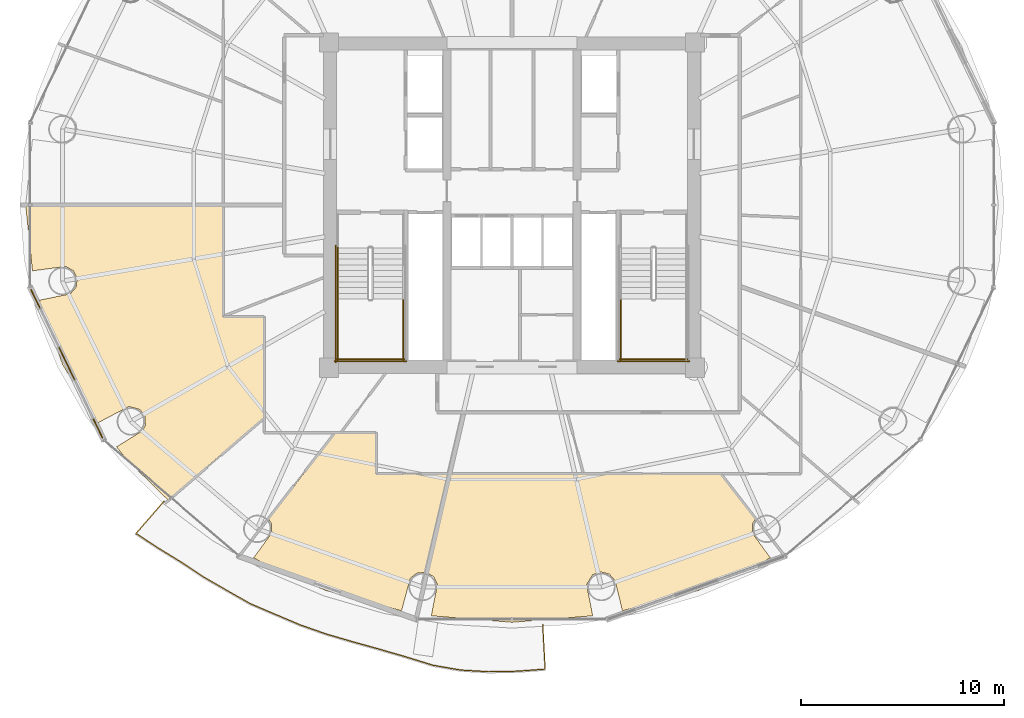
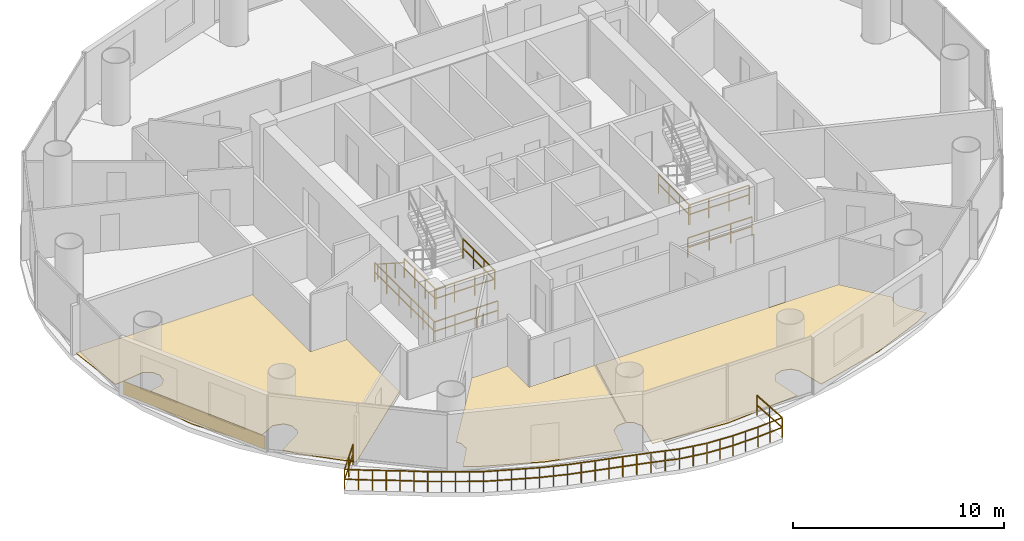
# One storey, part 24 of 26: 10 railings, 4 coverings.
"""IFC4 building model written with IfcOpenShell, lengths in metres."""

from ifc_helpers import new_model, si_unit, direction, frame, origin, origin_2d, place, context, subcontext, project, spatial, polyline, rectangle, outline, extrude, source, transform, mapped, material, layer, layer_set, type_object, element, save


model = new_model("IFC4")

# Units and contexts
model_context = context("Model", 3, precision=1e-05, world=origin(), true_north=direction((-0.2419218956, 0.970295726276)))
body_context = subcontext(model_context, "Body", "Model", "MODEL_VIEW")
ifc_project = project(units=[si_unit("LENGTHUNIT", "METRE"), si_unit("AREAUNIT", "SQUARE_METRE"), si_unit("VOLUMEUNIT", "CUBIC_METRE"), si_unit("PLANEANGLEUNIT", "RADIAN"), si_unit("MASSUNIT", "GRAM", prefix="KILO")], contexts=[model_context])

# Site, building, storey
site_placement = place(None, origin())
site = spatial("IfcSite", under=ifc_project, at=site_placement, CompositionType="ELEMENT")
building_placement = place(site_placement, origin())
building = spatial("IfcBuilding", under=site, at=building_placement, Name="Cobrevalo Terracotta Tower", CompositionType="ELEMENT")
storey_placement = place(building_placement, frame((0.0, 0.0, 178.60009765625)))
storey = spatial("IfcBuildingStorey", under=building, at=storey_placement, Name="L47", CompositionType="ELEMENT", Elevation=178.60009765625)

# Railing
ifc_material_1 = material(Name="Laminated structural glass and stainless steel", Category="steel")
railing_type_1 = type_object("IfcRailingType", Name="Balcony lobe structural glass & terracotta-cap balustrade 1180 mm", PredefinedType="BALUSTRADE", material=ifc_material_1)
railing_1_placement = place(storey_placement, frame((20.875732421875, 12.229736328125, 0.0)))
element("IfcRailing", 1, at=railing_1_placement, inside=storey, type_object=railing_type_1, Name="L47 spiralling balcony lobe balustrade 2", PredefinedType="BALUSTRADE", context=body_context, shape_type="SweptSolid", body=[
    extrude(rectangle(XDim=0.048095703125, YDim=0.048095703125, at=origin_2d()), frame((0.0, 0.0, 1.15576171875), z_axis=(-0.655849399072, -0.75489175763, 0.0), x_axis=(0.75489175763, -0.655849399072, 0.0)), (0.0, 0.0, 1.0), 2.0927734375),
    extrude(rectangle(XDim=0.048095703125, YDim=0.048095703125, at=origin_2d()), frame((0.0, 0.0, 0.58984375), z_axis=(-0.655849399072, -0.75489175763, 0.0), x_axis=(0.75489175763, -0.655849399072, 0.0)), (0.0, 0.0, 1.0), 2.0927734375),
    extrude(rectangle(XDim=0.048095703125, YDim=0.048095703125, at=origin_2d()), frame((-1.37255859375, -1.579833984375, 1.15576171875), z_axis=(0.836601380435, -0.547812130437, 0.0), x_axis=(0.547812130437, 0.836601380435, 0.0)), (0.0, 0.0, 1.0), 1.320556640625),
    extrude(rectangle(XDim=0.048095703125, YDim=0.048095703125, at=origin_2d()), frame((-1.37255859375, -1.579833984375, 0.58984375), z_axis=(0.836601380435, -0.547812130437, 0.0), x_axis=(0.547812130437, 0.836601380435, 0.0)), (0.0, 0.0, 1.0), 1.320556640625),
    extrude(rectangle(XDim=0.048095703125, YDim=0.048095703125, at=origin_2d()), frame((-0.267822265625, -2.30322265625, 1.15576171875), z_axis=(0.852868190337, -0.522126277744, 0.0), x_axis=(0.522126277744, 0.852868190337, 0.0)), (0.0, 0.0, 1.0), 1.31396484375),
    extrude(rectangle(XDim=0.048095703125, YDim=0.048095703125, at=origin_2d()), frame((-0.267822265625, -2.30322265625, 0.58984375), z_axis=(0.852868190337, -0.522126277744, 0.0), x_axis=(0.522126277744, 0.852868190337, 0.0)), (0.0, 0.0, 1.0), 1.31396484375),
    extrude(rectangle(XDim=0.048095703125, YDim=0.048095703125, at=origin_2d()), frame((0.852783203125, -2.9892578125, 1.15576171875), z_axis=(0.832708292219, -0.553711928777, 0.0), x_axis=(0.553711928777, 0.832708292219, 0.0)), (0.0, 0.0, 1.0), 1.311767578125),
    extrude(rectangle(XDim=0.048095703125, YDim=0.048095703125, at=origin_2d()), frame((0.852783203125, -2.9892578125, 0.58984375), z_axis=(0.832708292219, -0.553711928777, 0.0), x_axis=(0.553711928777, 0.832708292219, 0.0)), (0.0, 0.0, 1.0), 1.311767578125),
    extrude(rectangle(XDim=0.048095703125, YDim=0.048095703125, at=origin_2d()), frame((1.945068359375, -3.715576171875, 1.15576171875), z_axis=(0.86689037543, -0.498498823456, 0.0), x_axis=(0.498498823456, 0.86689037543, 0.0)), (0.0, 0.0, 1.0), 1.32470703125),
    extrude(rectangle(XDim=0.048095703125, YDim=0.048095703125, at=origin_2d()), frame((1.945068359375, -3.715576171875, 0.58984375), z_axis=(0.86689037543, -0.498498823456, 0.0), x_axis=(0.498498823456, 0.86689037543, 0.0)), (0.0, 0.0, 1.0), 1.32470703125),
    extrude(rectangle(XDim=0.048095703125, YDim=0.048095703125, at=origin_2d()), frame((3.093505859375, -4.3759765625, 1.15576171875), z_axis=(0.868628829469, -0.495463375654, 0.0), x_axis=(0.495463375654, 0.868628829469, 0.0)), (0.0, 0.0, 1.0), 1.323486328125),
    extrude(rectangle(XDim=0.048095703125, YDim=0.048095703125, at=origin_2d()), frame((3.093505859375, -4.3759765625, 0.58984375), z_axis=(0.868628829469, -0.495463375654, 0.0), x_axis=(0.495463375654, 0.868628829469, 0.0)), (0.0, 0.0, 1.0), 1.323486328125),
    extrude(rectangle(XDim=0.048095703125, YDim=0.048095703125, at=origin_2d()), frame((4.2431640625, -5.03173828125, 1.15576171875), z_axis=(0.919858704265, -0.392249874683, 0.0), x_axis=(0.392249874683, 0.919858704265, 0.0)), (0.0, 0.0, 1.0), 1.341796875),
    extrude(rectangle(XDim=0.048095703125, YDim=0.048095703125, at=origin_2d()), frame((4.2431640625, -5.03173828125, 0.58984375), z_axis=(0.919858704265, -0.392249874683, 0.0), x_axis=(0.392249874683, 0.919858704265, 0.0)), (0.0, 0.0, 1.0), 1.341796875),
    extrude(rectangle(XDim=0.048095703125, YDim=0.048095703125, at=origin_2d()), frame((5.4775390625, -5.55810546875, 1.15576171875), z_axis=(0.921185749358, -0.389123136268, 0.0), x_axis=(0.389123136268, 0.921185749358, 0.0)), (0.0, 0.0, 1.0), 1.3408203125),
    extrude(rectangle(XDim=0.048095703125, YDim=0.048095703125, at=origin_2d()), frame((5.4775390625, -5.55810546875, 0.58984375), z_axis=(0.921185749358, -0.389123136268, 0.0), x_axis=(0.389123136268, 0.921185749358, 0.0)), (0.0, 0.0, 1.0), 1.3408203125),
    extrude(rectangle(XDim=0.048095703125, YDim=0.048095703125, at=origin_2d()), frame((6.712646484375, -6.079833984375, 1.15576171875), z_axis=(0.943787663111, -0.330552336187, 0.0), x_axis=(0.330552336187, 0.943787663111, 0.0)), (0.0, 0.0, 1.0), 1.346435546875),
    extrude(rectangle(XDim=0.048095703125, YDim=0.048095703125, at=origin_2d()), frame((6.712646484375, -6.079833984375, 0.58984375), z_axis=(0.943787663111, -0.330552336187, 0.0), x_axis=(0.330552336187, 0.943787663111, 0.0)), (0.0, 0.0, 1.0), 1.346435546875),
    extrude(rectangle(XDim=0.048095703125, YDim=0.048095703125, at=origin_2d()), frame((7.9833984375, -6.52490234375, 1.15576171875), z_axis=(0.959937409811, -0.280214505774, 0.0), x_axis=(0.280214505774, 0.959937409811, 0.0)), (0.0, 0.0, 1.0), 1.354736328125),
    extrude(rectangle(XDim=0.048095703125, YDim=0.048095703125, at=origin_2d()), frame((7.9833984375, -6.52490234375, 0.58984375), z_axis=(0.959937409811, -0.280214505774, 0.0), x_axis=(0.280214505774, 0.959937409811, 0.0)), (0.0, 0.0, 1.0), 1.354736328125),
    extrude(rectangle(XDim=0.048095703125, YDim=0.048095703125, at=origin_2d()), frame((9.283935546875, -6.904541015625, 1.15576171875), z_axis=(0.963292852462, -0.268452752633, 0.0), x_axis=(0.268452752633, 0.963292852462, 0.0)), (0.0, 0.0, 1.0), 1.354248046875),
    extrude(rectangle(XDim=0.048095703125, YDim=0.048095703125, at=origin_2d()), frame((9.283935546875, -6.904541015625, 0.58984375), z_axis=(0.963292852462, -0.268452752633, 0.0), x_axis=(0.268452752633, 0.963292852462, 0.0)), (0.0, 0.0, 1.0), 1.354248046875),
    extrude(rectangle(XDim=0.048095703125, YDim=0.048095703125, at=origin_2d()), frame((10.58837890625, -7.26806640625, 1.15576171875), z_axis=(0.960653010723, -0.27775131501, 0.0), x_axis=(0.27775131501, 0.960653010723, 0.0)), (0.0, 0.0, 1.0), 1.3720703125),
    extrude(rectangle(XDim=0.048095703125, YDim=0.048095703125, at=origin_2d()), frame((10.58837890625, -7.26806640625, 0.58984375), z_axis=(0.960653010723, -0.27775131501, 0.0), x_axis=(0.27775131501, 0.960653010723, 0.0)), (0.0, 0.0, 1.0), 1.3720703125),
    extrude(rectangle(XDim=0.048095703125, YDim=0.048095703125, at=origin_2d()), frame((11.906494140625, -7.649169921875, 1.15576171875), z_axis=(0.95522682583, -0.295874485574, 0.0), x_axis=(0.295874485574, 0.95522682583, 0.0)), (0.0, 0.0, 1.0), 1.390380859375),
    extrude(rectangle(XDim=0.048095703125, YDim=0.048095703125, at=origin_2d()), frame((11.906494140625, -7.649169921875, 0.58984375), z_axis=(0.95522682583, -0.295874485574, 0.0), x_axis=(0.295874485574, 0.95522682583, 0.0)), (0.0, 0.0, 1.0), 1.390380859375),
    extrude(rectangle(XDim=0.048095703125, YDim=0.048095703125, at=origin_2d()), frame((13.234619140625, -8.060546875, 1.15576171875), z_axis=(0.985113346046, -0.17190606575, 0.0), x_axis=(0.17190606575, 0.985113346046, 0.0)), (0.0, 0.0, 1.0), 1.38623046875),
    extrude(rectangle(XDim=0.048095703125, YDim=0.048095703125, at=origin_2d()), frame((13.234619140625, -8.060546875, 0.58984375), z_axis=(0.985113346046, -0.17190606575, 0.0), x_axis=(0.17190606575, 0.985113346046, 0.0)), (0.0, 0.0, 1.0), 1.38623046875),
    extrude(rectangle(XDim=0.048095703125, YDim=0.048095703125, at=origin_2d()), frame((14.60009765625, -8.298828125, 1.15576171875), z_axis=(0.998244550304, -0.059226833354, 0.0), x_axis=(0.059226833354, 0.998244550304, 0.0)), (0.0, 0.0, 1.0), 1.38916015625),
    extrude(rectangle(XDim=0.048095703125, YDim=0.048095703125, at=origin_2d()), frame((14.60009765625, -8.298828125, 0.58984375), z_axis=(0.998244550304, -0.059226833354, 0.0), x_axis=(0.059226833354, 0.998244550304, 0.0)), (0.0, 0.0, 1.0), 1.38916015625),
    extrude(rectangle(XDim=0.048095703125, YDim=0.048095703125, at=origin_2d()), frame((15.98681640625, -8.381103515625, 1.15576171875), z_axis=(0.999815920088, 0.019186608326, 0.0), x_axis=(-0.019186608326, 0.999815920088, 0.0)), (0.0, 0.0, 1.0), 1.386962890625),
    extrude(rectangle(XDim=0.048095703125, YDim=0.048095703125, at=origin_2d()), frame((15.98681640625, -8.381103515625, 0.58984375), z_axis=(0.999815920088, 0.019186608326, 0.0), x_axis=(-0.019186608326, 0.999815920088, 0.0)), (0.0, 0.0, 1.0), 1.386962890625),
    extrude(rectangle(XDim=0.048095703125, YDim=0.048095703125, at=origin_2d()), frame((17.37353515625, -8.3544921875, 1.15576171875), z_axis=(0.997324648149, 0.073099563579, 0.0), x_axis=(-0.073099563579, 0.997324648149, 0.0)), (0.0, 0.0, 1.0), 1.385986328125),
    extrude(rectangle(XDim=0.048095703125, YDim=0.048095703125, at=origin_2d()), frame((17.37353515625, -8.3544921875, 0.58984375), z_axis=(0.997324648149, 0.073099563579, 0.0), x_axis=(-0.073099563579, 0.997324648149, 0.0)), (0.0, 0.0, 1.0), 1.385986328125),
    extrude(rectangle(XDim=0.048095703125, YDim=0.048095703125, at=origin_2d()), frame((18.755859375, -8.253173828125, 1.15576171875), z_axis=(-0.054106724102, 0.998535158323, 0.0), x_axis=(-0.998535158323, -0.054106724102, 0.0)), (0.0, 0.0, 1.0), 2.201904296875),
    extrude(rectangle(XDim=0.048095703125, YDim=0.048095703125, at=origin_2d()), frame((18.755859375, -8.253173828125, 0.58984375), z_axis=(-0.054106724102, 0.998535158323, 0.0), x_axis=(-0.998535158323, -0.054106724102, 0.0)), (0.0, 0.0, 1.0), 2.201904296875),
    extrude(rectangle(XDim=0.0419921875, YDim=0.0419921875, at=origin_2d()), origin(), (0.0, 0.0, 1.0), 1.1318359375),
    extrude(rectangle(XDim=0.0419921875, YDim=0.0419921875, at=origin_2d()), frame((-0.686279296875, -0.7900390625, 0.0)), (0.0, 0.0, 1.0), 1.1318359375),
    extrude(rectangle(XDim=0.0419921875, YDim=0.0419921875, at=origin_2d()), frame((-1.37255859375, -1.579833984375, 0.0)), (0.0, 0.0, 1.0), 1.1318359375),
    extrude(rectangle(XDim=0.0419921875, YDim=0.0419921875, at=origin_2d()), frame((-0.8203125, -1.94140625, 0.0)), (0.0, 0.0, 1.0), 1.1318359375),
    extrude(rectangle(XDim=0.0419921875, YDim=0.0419921875, at=origin_2d()), frame((-0.267822265625, -2.30322265625, 0.0)), (0.0, 0.0, 1.0), 1.1318359375),
    extrude(rectangle(XDim=0.0419921875, YDim=0.0419921875, at=origin_2d()), frame((0.29248046875, -2.646240234375, 0.0)), (0.0, 0.0, 1.0), 1.1318359375),
    extrude(rectangle(XDim=0.0419921875, YDim=0.0419921875, at=origin_2d()), frame((0.852783203125, -2.9892578125, 0.0)), (0.0, 0.0, 1.0), 1.1318359375),
    extrude(rectangle(XDim=0.0419921875, YDim=0.0419921875, at=origin_2d()), frame((1.39892578125, -3.3525390625, 0.0)), (0.0, 0.0, 1.0), 1.1318359375),
    extrude(rectangle(XDim=0.0419921875, YDim=0.0419921875, at=origin_2d()), frame((1.945068359375, -3.715576171875, 0.0)), (0.0, 0.0, 1.0), 1.1318359375),
    extrude(rectangle(XDim=0.0419921875, YDim=0.0419921875, at=origin_2d()), frame((2.519287109375, -4.0458984375, 0.0)), (0.0, 0.0, 1.0), 1.1318359375),
    extrude(rectangle(XDim=0.0419921875, YDim=0.0419921875, at=origin_2d()), frame((3.093505859375, -4.3759765625, 0.0)), (0.0, 0.0, 1.0), 1.1318359375),
    extrude(rectangle(XDim=0.0419921875, YDim=0.0419921875, at=origin_2d()), frame((3.66845703125, -4.703857421875, 0.0)), (0.0, 0.0, 1.0), 1.1318359375),
    extrude(rectangle(XDim=0.0419921875, YDim=0.0419921875, at=origin_2d()), frame((4.2431640625, -5.03173828125, 0.0)), (0.0, 0.0, 1.0), 1.1318359375),
    extrude(rectangle(XDim=0.0419921875, YDim=0.0419921875, at=origin_2d()), frame((4.8603515625, -5.294921875, 0.0)), (0.0, 0.0, 1.0), 1.1318359375),
    extrude(rectangle(XDim=0.0419921875, YDim=0.0419921875, at=origin_2d()), frame((5.4775390625, -5.55810546875, 0.0)), (0.0, 0.0, 1.0), 1.1318359375),
    extrude(rectangle(XDim=0.0419921875, YDim=0.0419921875, at=origin_2d()), frame((6.09521484375, -5.81884765625, 0.0)), (0.0, 0.0, 1.0), 1.1318359375),
    extrude(rectangle(XDim=0.0419921875, YDim=0.0419921875, at=origin_2d()), frame((6.712646484375, -6.079833984375, 0.0)), (0.0, 0.0, 1.0), 1.1318359375),
    extrude(rectangle(XDim=0.0419921875, YDim=0.0419921875, at=origin_2d()), frame((7.34814453125, -6.30224609375, 0.0)), (0.0, 0.0, 1.0), 1.1318359375),
    extrude(rectangle(XDim=0.0419921875, YDim=0.0419921875, at=origin_2d()), frame((7.9833984375, -6.52490234375, 0.0)), (0.0, 0.0, 1.0), 1.1318359375),
    extrude(rectangle(XDim=0.0419921875, YDim=0.0419921875, at=origin_2d()), frame((8.6337890625, -6.71484375, 0.0)), (0.0, 0.0, 1.0), 1.1318359375),
    extrude(rectangle(XDim=0.0419921875, YDim=0.0419921875, at=origin_2d()), frame((9.283935546875, -6.904541015625, 0.0)), (0.0, 0.0, 1.0), 1.1318359375),
    extrude(rectangle(XDim=0.0419921875, YDim=0.0419921875, at=origin_2d()), frame((9.93603515625, -7.08642578125, 0.0)), (0.0, 0.0, 1.0), 1.1318359375),
    extrude(rectangle(XDim=0.0419921875, YDim=0.0419921875, at=origin_2d()), frame((10.58837890625, -7.26806640625, 0.0)), (0.0, 0.0, 1.0), 1.1318359375),
    extrude(rectangle(XDim=0.0419921875, YDim=0.0419921875, at=origin_2d()), frame((11.24755859375, -7.45849609375, 0.0)), (0.0, 0.0, 1.0), 1.1318359375),
    extrude(rectangle(XDim=0.0419921875, YDim=0.0419921875, at=origin_2d()), frame((11.906494140625, -7.649169921875, 0.0)), (0.0, 0.0, 1.0), 1.1318359375),
    extrude(rectangle(XDim=0.0419921875, YDim=0.0419921875, at=origin_2d()), frame((12.570556640625, -7.85498046875, 0.0)), (0.0, 0.0, 1.0), 1.1318359375),
    extrude(rectangle(XDim=0.0419921875, YDim=0.0419921875, at=origin_2d()), frame((13.234619140625, -8.060546875, 0.0)), (0.0, 0.0, 1.0), 1.1318359375),
    extrude(rectangle(XDim=0.0419921875, YDim=0.0419921875, at=origin_2d()), frame((13.91748046875, -8.1796875, 0.0)), (0.0, 0.0, 1.0), 1.1318359375),
    extrude(rectangle(XDim=0.0419921875, YDim=0.0419921875, at=origin_2d()), frame((14.60009765625, -8.298828125, 0.0)), (0.0, 0.0, 1.0), 1.1318359375),
    extrude(rectangle(XDim=0.0419921875, YDim=0.0419921875, at=origin_2d()), frame((15.29345703125, -8.33984375, 0.0)), (0.0, 0.0, 1.0), 1.1318359375),
    extrude(rectangle(XDim=0.0419921875, YDim=0.0419921875, at=origin_2d()), frame((15.98681640625, -8.381103515625, 0.0)), (0.0, 0.0, 1.0), 1.1318359375),
    extrude(rectangle(XDim=0.0419921875, YDim=0.0419921875, at=origin_2d()), frame((16.68017578125, -8.36767578125, 0.0)), (0.0, 0.0, 1.0), 1.1318359375),
    extrude(rectangle(XDim=0.0419921875, YDim=0.0419921875, at=origin_2d()), frame((17.37353515625, -8.3544921875, 0.0)), (0.0, 0.0, 1.0), 1.1318359375),
    extrude(rectangle(XDim=0.0419921875, YDim=0.0419921875, at=origin_2d()), frame((18.064697265625, -8.3037109375, 0.0)), (0.0, 0.0, 1.0), 1.1318359375),
    extrude(rectangle(XDim=0.0419921875, YDim=0.0419921875, at=origin_2d()), frame((18.755859375, -8.253173828125, 0.0)), (0.0, 0.0, 1.0), 1.1318359375),
    extrude(rectangle(XDim=0.0419921875, YDim=0.0419921875, at=origin_2d()), frame((18.6962890625, -7.15380859375, 0.0)), (0.0, 0.0, 1.0), 1.1318359375),
    extrude(rectangle(XDim=0.0419921875, YDim=0.0419921875, at=origin_2d()), frame((18.63671875, -6.054443359375, 0.0)), (0.0, 0.0, 1.0), 1.1318359375),
])

# Coverings
ifc_material_2 = material(Name="Engineered Brazilian hardwood flooring", Category="wood")
ifc_layer_1 = layer(ifc_material_2, 0.028076171875)
ifc_layer_set_1 = layer_set([ifc_layer_1], Name="Engineered Brazilian hardwood flooring")
covering_type_1 = type_object("IfcCoveringType", Name="Engineered Hardwood Suite Flooring 28", PredefinedType="FLOORING", material=ifc_layer_set_1)
covering_1_placement = place(storey_placement, origin())
element("IfcCovering", 2, at=covering_1_placement, inside=storey, type_object=covering_type_1, Name="Flat L47C Penthouse Living and Dining Room floor finish", PredefinedType="FLOORING", context=body_context, shape_type="SweptSolid", body=[
    extrude(outline(polyline([(19.02197265625, 14.309326171875), (18.551513671875, 14.91357421875), (19.834228515625, 15.705810546875), (19.9638671875, 15.9638671875), (19.952880859375, 16.3935546875), (19.705322265625, 16.74462890625), (19.1591796875, 16.895263671875), (17.632568359375, 16.09375), (15.900390625, 18.948486328125), (14.748291015625, 22.121826171875), (16.2763671875, 22.43701171875), (16.55859375, 22.760986328125), (16.613037109375, 23.187255859375), (16.421630859375, 23.572021484375), (16.048583984375, 23.785400390625), (14.41357421875, 23.566162109375), (14.08154296875, 26.780029296875), (23.77490234375, 26.780029296875), (23.77490234375, 21.300048828125), (25.784912109375, 21.300048828125), (25.784912109375, 16.32763671875), (21.0888671875, 12.291015625), (19.02197265625, 14.309326171875)])), origin(), (0.0, 0.0, 1.0), 0.02978515625),
])
covering_2_placement = place(storey_placement, origin())
element("IfcCovering", 3, at=covering_2_placement, inside=storey, type_object=covering_type_1, Name="Flat L47C Penthouse Family Lounge floor finish", PredefinedType="FLOORING", context=body_context, shape_type="SweptSolid", body=[
    extrude(outline(polyline([(25.295166015625, 9.4560546875), (26.184326171875, 10.67724609375), (26.175537109375, 11.106689453125), (26.02490234375, 11.363525390625), (29.306884765625, 15.5849609375), (31.300048828125, 15.5849609375), (31.300048828125, 13.574951171875), (34.9189453125, 13.574951171875), (33.796630859375, 8.72607421875), (33.3408203125, 8.7109375), (32.99951171875, 8.44970703125), (32.567138671875, 6.849853515625), (28.84521484375, 7.84228515625), (26.038818359375, 9.02978515625), (25.295166015625, 9.4560546875)])), origin(), (0.0, 0.0, 1.0), 0.02978515625),
])
covering_3_placement = place(storey_placement, origin())
element("IfcCovering", 4, at=covering_3_placement, inside=storey, type_object=covering_type_1, Name="Flat L47D Penthouse Living and Dining Room floor finish", PredefinedType="FLOORING", context=body_context, shape_type="SweptSolid", body=[
    extrude(outline(polyline([(47.15478515625, 7.84228515625), (43.432861328125, 6.849853515625), (43.072998046875, 8.323974609375), (42.78955078125, 8.646728515625), (42.374267578125, 8.757568359375), (41.967529296875, 8.619140625), (41.6689453125, 8.1376953125), (41.97119140625, 6.6005859375), (38.0, 6.280029296875), (34.02880859375, 6.6005859375), (34.3310546875, 8.1376953125), (34.141357421875, 8.5234375), (33.83544921875, 8.716064453125), (34.9599609375, 13.574951171875), (48.255859375, 13.574951171875), (49.97509765625, 11.363525390625), (49.824462890625, 11.106689453125), (49.815673828125, 10.67724609375), (50.704833984375, 9.4560546875), (49.961181640625, 9.02978515625), (47.15478515625, 7.84228515625)])), origin(), (0.0, 0.0, 1.0), 0.02978515625),
])

# Railings
ifc_material_3 = material(Name="Brushed stainless steel", Category="steel")
railing_type_2 = type_object("IfcRailingType", Name="Stainless Steel Stair Handrail 900", PredefinedType="HANDRAIL", material=ifc_material_3)
railing_2_placement = place(storey_placement, frame((29.425048828125, 24.699951171875, 0.179931640625)))
element("IfcRailing", 5, at=railing_2_placement, inside=storey, type_object=railing_type_2, Name="L47 ST-1 stair handrail 1", PredefinedType="HANDRAIL", context=body_context, shape_type="SweptSolid", body=[
    extrude(rectangle(XDim=0.048095703125, YDim=0.048095703125, at=origin_2d()), frame((0.0, 0.0, 0.8759765625), z_axis=(0.0, -0.841199657755, 0.540724639528), x_axis=(1.0, 0.0, 0.0)), (0.0, 0.0, 1.0), 2.995849609375),
    extrude(rectangle(XDim=0.0419921875, YDim=0.0419921875, at=origin_2d()), origin(), (0.0, 0.0, 1.0), 0.851806640625),
    extrude(rectangle(XDim=0.0419921875, YDim=0.0419921875, at=origin_2d()), frame((0.0, -0.840087890625, 0.5400390625)), (0.0, 0.0, 1.0), 0.851806640625),
    extrude(rectangle(XDim=0.0419921875, YDim=0.0419921875, at=origin_2d()), frame((0.0, -1.679931640625, 1.079833984375)), (0.0, 0.0, 1.0), 0.851806640625),
    extrude(rectangle(XDim=0.0419921875, YDim=0.0419921875, at=origin_2d()), frame((0.0, -2.52001953125, 1.619873046875)), (0.0, 0.0, 1.0), 0.851806640625),
])
ifc_material_4 = material(Name="Painted galvanized steel", Category="steel")
railing_type_3 = type_object("IfcRailingType", Name="Stair Well Guard Balustrade 1150", PredefinedType="GUARDRAIL", material=ifc_material_4)
for number, where, name in (
    (6, (29.425048828125, 22.179931640625, 1.7998046875), "L47 ST-1 stair guard 3"),
    (7, (32.64501953125, 22.179931640625, 1.7998046875), "L47 ST-1 stair guard 4"),
):
    element("IfcRailing", number, at=place(storey_placement, frame(where)), inside=storey, type_object=railing_type_3, Name=name, PredefinedType="GUARDRAIL", context=body_context, shape_type="SweptSolid", body=[
        extrude(rectangle(XDim=0.048095703125, YDim=0.048095703125, at=origin_2d()), frame((0.0, 0.0, 1.1259765625), z_axis=(0.0, -1.0, 0.0), x_axis=(1.0, 0.0, 0.0)), (0.0, 0.0, 1.0), 3.0048828125),
        extrude(rectangle(XDim=0.048095703125, YDim=0.048095703125, at=origin_2d()), frame((0.0, 0.0, 0.574951171875), z_axis=(0.0, -1.0, 0.0), x_axis=(1.0, 0.0, 0.0)), (0.0, 0.0, 1.0), 3.0048828125),
        extrude(rectangle(XDim=0.0419921875, YDim=0.0419921875, at=origin_2d()), origin(), (0.0, 0.0, 1.0), 1.101806640625),
        extrude(rectangle(XDim=0.0419921875, YDim=0.0419921875, at=origin_2d()), frame((0.0, -1.001708984375, 0.0)), (0.0, 0.0, 1.0), 1.101806640625),
        extrude(rectangle(XDim=0.0419921875, YDim=0.0419921875, at=origin_2d()), frame((0.0, -2.003173828125, 0.0)), (0.0, 0.0, 1.0), 1.101806640625),
        extrude(rectangle(XDim=0.0419921875, YDim=0.0419921875, at=origin_2d()), frame((0.0, -3.0048828125, 0.0)), (0.0, 0.0, 1.0), 1.101806640625),
    ])
railing_3_placement = place(storey_placement, frame((29.375, 19.22509765625, 1.7998046875)))
element("IfcRailing", 8, at=railing_3_placement, inside=storey, type_object=railing_type_3, Name="L47 ST-1 stair guard 5", PredefinedType="GUARDRAIL", context=body_context, shape_type="SweptSolid", body=[
    extrude(rectangle(XDim=0.048095703125, YDim=0.048095703125, at=origin_2d()), frame((0.0, 0.0, 1.1259765625), z_axis=(1.0, 0.0, 0.0), x_axis=(0.0, 1.0, 0.0)), (0.0, 0.0, 1.0), 3.320068359375),
    extrude(rectangle(XDim=0.048095703125, YDim=0.048095703125, at=origin_2d()), frame((0.0, 0.0, 0.574951171875), z_axis=(1.0, 0.0, 0.0), x_axis=(0.0, 1.0, 0.0)), (0.0, 0.0, 1.0), 3.320068359375),
    extrude(rectangle(XDim=0.0419921875, YDim=0.0419921875, at=origin_2d()), origin(), (0.0, 0.0, 1.0), 1.101806640625),
    extrude(rectangle(XDim=0.0419921875, YDim=0.0419921875, at=origin_2d()), frame((1.106689453125, 0.0, 0.0)), (0.0, 0.0, 1.0), 1.101806640625),
    extrude(rectangle(XDim=0.0419921875, YDim=0.0419921875, at=origin_2d()), frame((2.21337890625, 0.0, 0.0)), (0.0, 0.0, 1.0), 1.101806640625),
    extrude(rectangle(XDim=0.0419921875, YDim=0.0419921875, at=origin_2d()), frame((3.320068359375, 0.0, 0.0)), (0.0, 0.0, 1.0), 1.101806640625),
])
railing_4_placement = place(storey_placement, frame((29.324951171875, 24.800048828125, 0.0)))
element("IfcRailing", 9, at=railing_4_placement, inside=storey, type_object=railing_type_3, Name="L47 ST-1 stair guard 10", PredefinedType="GUARDRAIL", context=body_context, shape_type="SweptSolid", body=[
    extrude(rectangle(XDim=0.048095703125, YDim=0.048095703125, at=origin_2d()), frame((0.0, 0.0, 1.1259765625), z_axis=(0.0, -1.0, 0.0), x_axis=(1.0, 0.0, 0.0)), (0.0, 0.0, 1.0), 5.72509765625),
    extrude(rectangle(XDim=0.048095703125, YDim=0.048095703125, at=origin_2d()), frame((0.0, 0.0, 0.574951171875), z_axis=(0.0, -1.0, 0.0), x_axis=(1.0, 0.0, 0.0)), (0.0, 0.0, 1.0), 5.72509765625),
    extrude(rectangle(XDim=0.0419921875, YDim=0.0419921875, at=origin_2d()), origin(), (0.0, 0.0, 1.0), 1.101806640625),
    extrude(rectangle(XDim=0.0419921875, YDim=0.0419921875, at=origin_2d()), frame((0.0, -1.14501953125, 0.0)), (0.0, 0.0, 1.0), 1.101806640625),
    extrude(rectangle(XDim=0.0419921875, YDim=0.0419921875, at=origin_2d()), frame((0.0, -2.2900390625, 0.0)), (0.0, 0.0, 1.0), 1.101806640625),
    extrude(rectangle(XDim=0.0419921875, YDim=0.0419921875, at=origin_2d()), frame((0.0, -3.43505859375, 0.0)), (0.0, 0.0, 1.0), 1.101806640625),
    extrude(rectangle(XDim=0.0419921875, YDim=0.0419921875, at=origin_2d()), frame((0.0, -4.580078125, 0.0)), (0.0, 0.0, 1.0), 1.101806640625),
    extrude(rectangle(XDim=0.0419921875, YDim=0.0419921875, at=origin_2d()), frame((0.0, -5.72509765625, 0.0)), (0.0, 0.0, 1.0), 1.101806640625),
])
railing_5_placement = place(storey_placement, frame((29.27490234375, 19.125, 0.0)))
element("IfcRailing", 10, at=railing_5_placement, inside=storey, type_object=railing_type_3, Name="L47 ST-1 stair guard 12", PredefinedType="GUARDRAIL", context=body_context, shape_type="SweptSolid", body=[
    extrude(rectangle(XDim=0.048095703125, YDim=0.048095703125, at=origin_2d()), frame((0.0, 0.0, 1.1259765625), z_axis=(1.0, 0.0, 0.0), x_axis=(0.0, 1.0, 0.0)), (0.0, 0.0, 1.0), 3.52001953125),
    extrude(rectangle(XDim=0.048095703125, YDim=0.048095703125, at=origin_2d()), frame((0.0, 0.0, 0.574951171875), z_axis=(1.0, 0.0, 0.0), x_axis=(0.0, 1.0, 0.0)), (0.0, 0.0, 1.0), 3.52001953125),
    extrude(rectangle(XDim=0.0419921875, YDim=0.0419921875, at=origin_2d()), origin(), (0.0, 0.0, 1.0), 1.101806640625),
    extrude(rectangle(XDim=0.0419921875, YDim=0.0419921875, at=origin_2d()), frame((1.17333984375, 0.0, 0.0)), (0.0, 0.0, 1.0), 1.101806640625),
    extrude(rectangle(XDim=0.0419921875, YDim=0.0419921875, at=origin_2d()), frame((2.3466796875, 0.0, 0.0)), (0.0, 0.0, 1.0), 1.101806640625),
    extrude(rectangle(XDim=0.0419921875, YDim=0.0419921875, at=origin_2d()), frame((3.52001953125, 0.0, 0.0)), (0.0, 0.0, 1.0), 1.101806640625),
])
railing_6_placement = place(storey_placement, frame((43.35498046875, 22.179931640625, 1.7998046875)))
element("IfcRailing", 11, at=railing_6_placement, inside=storey, type_object=railing_type_3, Name="L47 ST-2 stair guard 3", PredefinedType="GUARDRAIL", context=body_context, shape_type="SweptSolid", body=[
    extrude(rectangle(XDim=0.048095703125, YDim=0.048095703125, at=origin_2d()), frame((0.0, 0.0, 1.1259765625), z_axis=(0.0, -1.0, 0.0), x_axis=(1.0, 0.0, 0.0)), (0.0, 0.0, 1.0), 3.0048828125),
    extrude(rectangle(XDim=0.048095703125, YDim=0.048095703125, at=origin_2d()), frame((0.0, 0.0, 0.574951171875), z_axis=(0.0, -1.0, 0.0), x_axis=(1.0, 0.0, 0.0)), (0.0, 0.0, 1.0), 3.0048828125),
    extrude(rectangle(XDim=0.0419921875, YDim=0.0419921875, at=origin_2d()), origin(), (0.0, 0.0, 1.0), 1.101806640625),
    extrude(rectangle(XDim=0.0419921875, YDim=0.0419921875, at=origin_2d()), frame((0.0, -1.001708984375, 0.0)), (0.0, 0.0, 1.0), 1.101806640625),
    extrude(rectangle(XDim=0.0419921875, YDim=0.0419921875, at=origin_2d()), frame((0.0, -2.003173828125, 0.0)), (0.0, 0.0, 1.0), 1.101806640625),
    extrude(rectangle(XDim=0.0419921875, YDim=0.0419921875, at=origin_2d()), frame((0.0, -3.0048828125, 0.0)), (0.0, 0.0, 1.0), 1.101806640625),
])
railing_7_placement = place(storey_placement, frame((43.304931640625, 19.22509765625, 1.7998046875)))
element("IfcRailing", 12, at=railing_7_placement, inside=storey, type_object=railing_type_3, Name="L47 ST-2 stair guard 5", PredefinedType="GUARDRAIL", context=body_context, shape_type="SweptSolid", body=[
    extrude(rectangle(XDim=0.048095703125, YDim=0.048095703125, at=origin_2d()), frame((0.0, 0.0, 1.1259765625), z_axis=(1.0, 0.0, 0.0), x_axis=(0.0, 1.0, 0.0)), (0.0, 0.0, 1.0), 3.320068359375),
    extrude(rectangle(XDim=0.048095703125, YDim=0.048095703125, at=origin_2d()), frame((0.0, 0.0, 0.574951171875), z_axis=(1.0, 0.0, 0.0), x_axis=(0.0, 1.0, 0.0)), (0.0, 0.0, 1.0), 3.320068359375),
    extrude(rectangle(XDim=0.0419921875, YDim=0.0419921875, at=origin_2d()), origin(), (0.0, 0.0, 1.0), 1.101806640625),
    extrude(rectangle(XDim=0.0419921875, YDim=0.0419921875, at=origin_2d()), frame((1.106689453125, 0.0, 0.0)), (0.0, 0.0, 1.0), 1.101806640625),
    extrude(rectangle(XDim=0.0419921875, YDim=0.0419921875, at=origin_2d()), frame((2.21337890625, 0.0, 0.0)), (0.0, 0.0, 1.0), 1.101806640625),
    extrude(rectangle(XDim=0.0419921875, YDim=0.0419921875, at=origin_2d()), frame((3.320068359375, 0.0, 0.0)), (0.0, 0.0, 1.0), 1.101806640625),
])
railing_8_placement = place(storey_placement, frame((43.205078125, 19.125, 0.0)))
element("IfcRailing", 13, at=railing_8_placement, inside=storey, type_object=railing_type_3, Name="L47 ST-2 stair guard 12", PredefinedType="GUARDRAIL", context=body_context, shape_type="SweptSolid", body=[
    extrude(rectangle(XDim=0.048095703125, YDim=0.048095703125, at=origin_2d()), frame((0.0, 0.0, 1.1259765625), z_axis=(1.0, 0.0, 0.0), x_axis=(0.0, 1.0, 0.0)), (0.0, 0.0, 1.0), 3.52001953125),
    extrude(rectangle(XDim=0.048095703125, YDim=0.048095703125, at=origin_2d()), frame((0.0, 0.0, 0.574951171875), z_axis=(1.0, 0.0, 0.0), x_axis=(0.0, 1.0, 0.0)), (0.0, 0.0, 1.0), 3.52001953125),
    extrude(rectangle(XDim=0.0419921875, YDim=0.0419921875, at=origin_2d()), origin(), (0.0, 0.0, 1.0), 1.101806640625),
    extrude(rectangle(XDim=0.0419921875, YDim=0.0419921875, at=origin_2d()), frame((1.17333984375, 0.0, 0.0)), (0.0, 0.0, 1.0), 1.101806640625),
    extrude(rectangle(XDim=0.0419921875, YDim=0.0419921875, at=origin_2d()), frame((2.3466796875, 0.0, 0.0)), (0.0, 0.0, 1.0), 1.101806640625),
    extrude(rectangle(XDim=0.0419921875, YDim=0.0419921875, at=origin_2d()), frame((3.52001953125, 0.0, 0.0)), (0.0, 0.0, 1.0), 1.101806640625),
])

# Covering
ifc_material_5 = material(Name="Glazed terracotta facade cladding tile", Category="masonry")
ifc_layer_2 = layer(ifc_material_5, 0.044921875)
ifc_layer_set_2 = layer_set([ifc_layer_2], Name="Glazed terracotta facade cladding tile")
covering_type_2 = type_object("IfcCoveringType", Name="Architectural terracotta rainscreen spandrel cladding 45 mm", PredefinedType="CLADDING", material=ifc_layer_set_2)
shared_shape = source(origin(), body_context, "Body", "SweptSolid", [
    extrude(rectangle(XDim=8.111572265625, YDim=0.044921875, at=origin_2d()), origin(), (0.0, 0.0, 1.0), 0.760009765625),
])
covering_4_placement = place(storey_placement, frame((16.098876953125, 19.00439453125, 0.0400390625), z_axis=(0.0, 0.0, 1.0), x_axis=(0.434209440271, -0.900811945957, 0.0)))
element("IfcCovering", 14, at=covering_4_placement, inside=storey, type_object=covering_type_2, Name="L47 terracotta spandrel cladding S09", PredefinedType="CLADDING", context=body_context, shape_type="MappedRepresentation", body=[
    mapped(shared_shape, transform((0.0, 0.0, 0.0), scale=1.0)),
])

save(model, "model.ifc")
